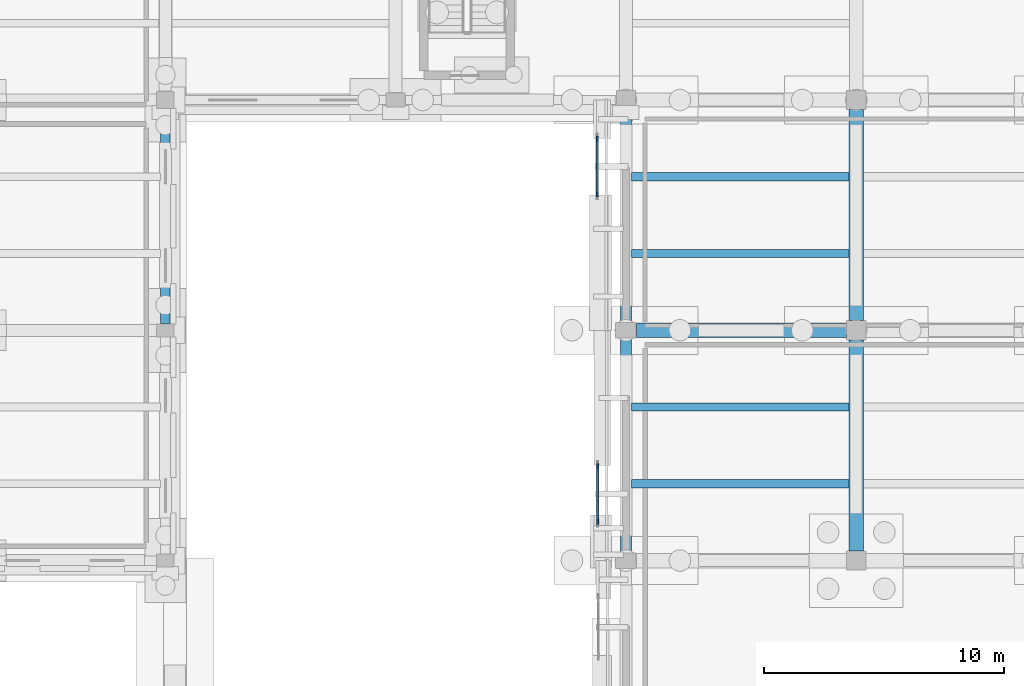
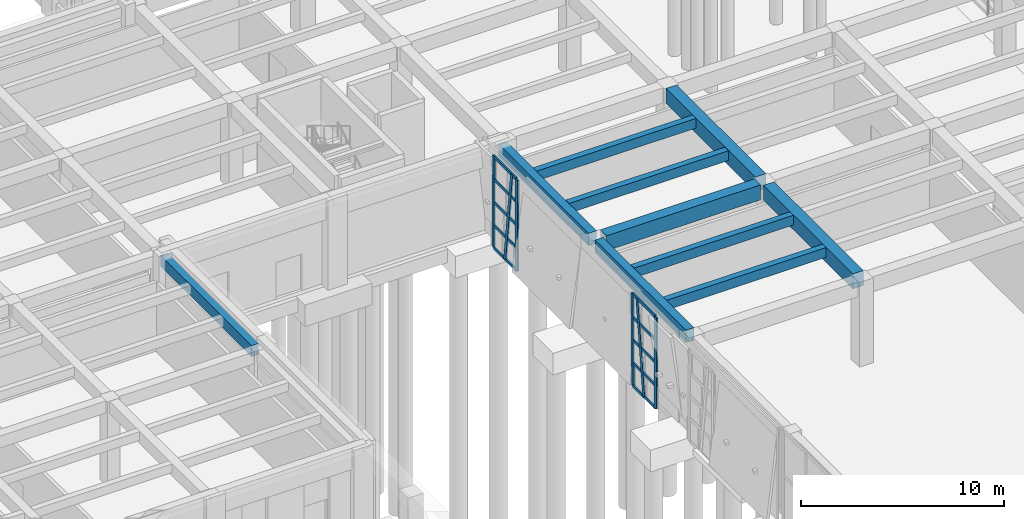
# One storey, part 15 of 51: 16 members, 10 beams, 2 elements without a shape of their own.
"""IFC4 building model written with IfcOpenShell, lengths in metres."""

from ifc_helpers import new_model, si_unit, direction, frame, origin, origin_2d, place, context, subcontext, project, spatial, rectangle, extrude, material, layer, layer_set, material_profile, profile_set, type_object, element, aggregate, save


model = new_model("IFC4")

# Units and contexts
model_context = context("Model", 3, precision=1e-05, world=origin(), true_north=direction((0.0, 1.0)))
body_context = subcontext(model_context, "Body", "Model", "MODEL_VIEW")
ifc_project = project(units=[si_unit("LENGTHUNIT", "METRE"), si_unit("AREAUNIT", "SQUARE_METRE"), si_unit("VOLUMEUNIT", "CUBIC_METRE"), si_unit("PLANEANGLEUNIT", "RADIAN"), si_unit("MASSUNIT", "GRAM", prefix="KILO")], contexts=[model_context])

# Site, building, storey
site_placement = place(None, origin())
site = spatial("IfcSite", under=ifc_project, at=site_placement, CompositionType="ELEMENT")
building_placement = place(site_placement, origin())
building = spatial("IfcBuilding", under=site, at=building_placement, Name="Bempovik Park Faculty of Sciences", CompositionType="ELEMENT")
storey_placement = place(building_placement, origin())
storey = spatial("IfcBuildingStorey", under=building, at=storey_placement, Name="L00", CompositionType="ELEMENT", Elevation=0.0)

# Beams
ifc_material_1 = material(Name="Concrete C35/45", Category="concrete")
ifc_material_profile_1 = material_profile(ifc_material_1, rectangle(XDim=0.39990234375, YDim=0.659912109375, at=origin_2d()), Name="RC 400x660")
ifc_profile_set_1 = profile_set([ifc_material_profile_1], Name="Concrete C35/45")
beam_type_1 = type_object("IfcBeamType", Name="B-097 RC 400x660", PredefinedType="SPANDREL", material=ifc_profile_set_1)
beam_1_placement = place(storey_placement, frame((40.800048828125, 58.47607421875, 4.75), z_axis=(0.0, 1.0, 0.0), x_axis=(-1.0, 0.0, 0.0)))
element("IfcBeam", 1, at=beam_1_placement, inside=storey, type_object=beam_type_1, Name="L00 Beam Y (x=40.8, 58.2-67.8)", PredefinedType="SPANDREL", context=body_context, shape_type="SweptSolid", body=[
    extrude(rectangle(XDim=0.39990234375, YDim=0.659912109375, at=origin_2d()), origin(), (0.0, 0.0, 1.0), 8.9580078125),
])
ifc_material_profile_2 = material_profile(ifc_material_1, rectangle(XDim=0.35009765625, YDim=0.580078125, at=origin_2d()), Name="RC 350x580")
ifc_profile_set_2 = profile_set([ifc_material_profile_2], Name="Concrete C35/45")
beam_type_2 = type_object("IfcBeamType", Name="B-107 RC 350x580", PredefinedType="JOIST", material=ifc_profile_set_2)
for number, where, z_axis, x_axis, name in (
    (2, (60.23095703125, 51.800048828125, 4.7900390625), (1.0, 0.0, 0.0), (0.0, 1.0, 0.0), "L00 Secondary Joist (60.0-69.6, y=51.80)"),
    (3, (60.23095703125, 55.0, 4.7900390625), (1.0, 0.0, 0.0), (0.0, 1.0, 0.0), "L00 Secondary Joist (60.0-69.6, y=55.00)"),
    (4, (60.23095703125, 61.39990234375, 4.7900390625), (1.0, 0.0, 0.0), (0.0, 1.0, 0.0), "L00 Secondary Joist (60.0-69.6, y=61.40)"),
    (5, (60.23095703125, 64.60009765625, 4.7900390625), (1.0, 0.0, 0.0), (0.0, 1.0, 0.0), "L00 Secondary Joist (60.0-69.6, y=64.60)"),
):
    element("IfcBeam", number, at=place(storey_placement, frame(where, z_axis=z_axis, x_axis=x_axis)), inside=storey, type_object=beam_type_2, Name=name, PredefinedType="JOIST", context=body_context, shape_type="SweptSolid", body=[
        extrude(rectangle(XDim=0.35009765625, YDim=0.580078125, at=origin_2d()), origin(), (0.0, 0.0, 1.0), 9.06298828125),
    ])
ifc_material_2 = material(Name="Concrete C40/50", Category="concrete")
ifc_material_profile_3 = material_profile(ifc_material_2, rectangle(XDim=0.60009765625, YDim=0.89990234375, at=origin_2d()), Name="RC 600x900")
ifc_profile_set_3 = profile_set([ifc_material_profile_3], Name="Concrete C40/50")
beam_type_3 = type_object("IfcBeamType", Name="B-115 RC 600x900", PredefinedType="BEAM", material=ifc_profile_set_3)
beam_2_placement = place(storey_placement, frame((60.430908203125, 58.199951171875, 4.6298828125), z_axis=(1.0, 0.0, 0.0), x_axis=(0.0, 1.0, 0.0)))
element("IfcBeam", 6, at=beam_2_placement, inside=storey, type_object=beam_type_3, Name="L00 Beam X (60.0-69.6, y=58.2)", PredefinedType="BEAM", context=body_context, shape_type="SweptSolid", body=[
    extrude(rectangle(XDim=0.60009765625, YDim=0.89990234375, at=origin_2d()), origin(), (0.0, 0.0, 1.0), 8.76318359375),
])
beam_3_placement = place(storey_placement, frame((69.60009765625, 49.006103515625, 4.6298828125), z_axis=(0.0, 1.0, 0.0), x_axis=(-1.0, 0.0, 0.0)))
element("IfcBeam", 7, at=beam_3_placement, inside=storey, type_object=beam_type_3, Name="L00 Beam Y (x=69.6, 48.6-58.2)", PredefinedType="BEAM", context=body_context, shape_type="SweptSolid", body=[
    extrude(rectangle(XDim=0.60009765625, YDim=0.89990234375, at=origin_2d()), origin(), (0.0, 0.0, 1.0), 8.787841796875),
])
beam_4_placement = place(storey_placement, frame((69.60009765625, 58.60595703125, 4.6298828125), z_axis=(0.0, 1.0, 0.0), x_axis=(-1.0, 0.0, 0.0)))
element("IfcBeam", 8, at=beam_4_placement, inside=storey, type_object=beam_type_3, Name="L00 Beam Y (x=69.6, 58.2-67.8)", PredefinedType="BEAM", context=body_context, shape_type="SweptSolid", body=[
    extrude(rectangle(XDim=0.60009765625, YDim=0.89990234375, at=origin_2d()), origin(), (0.0, 0.0, 1.0), 8.7880859375),
])
ifc_material_profile_4 = material_profile(ifc_material_2, rectangle(XDim=0.449951171875, YDim=0.75, at=origin_2d()), Name="RC 450x750")
ifc_profile_set_4 = profile_set([ifc_material_profile_4], Name="Concrete C40/50")
beam_type_4 = type_object("IfcBeamType", Name="B-130 RC 450x750", PredefinedType="SPANDREL", material=ifc_profile_set_4)
beam_5_placement = place(storey_placement, frame((60.0, 48.930908203125, 4.705078125), z_axis=(0.0, 1.0, 0.0), x_axis=(-1.0, 0.0, 0.0)))
element("IfcBeam", 9, at=beam_5_placement, inside=storey, type_object=beam_type_4, Name="L00 Beam Y (x=60.0, 48.6-58.2)", PredefinedType="SPANDREL", context=body_context, shape_type="SweptSolid", body=[
    extrude(rectangle(XDim=0.449951171875, YDim=0.75, at=origin_2d()), origin(), (0.0, 0.0, 1.0), 8.93798828125),
])
beam_6_placement = place(storey_placement, frame((60.0, 58.531005859375, 4.705078125), z_axis=(0.0, 1.0, 0.0), x_axis=(-1.0, 0.0, 0.0)))
element("IfcBeam", 10, at=beam_6_placement, inside=storey, type_object=beam_type_4, Name="L00 Beam Y (x=60.0, 58.2-67.8)", PredefinedType="SPANDREL", context=body_context, shape_type="SweptSolid", body=[
    extrude(rectangle(XDim=0.449951171875, YDim=0.75, at=origin_2d()), origin(), (0.0, 0.0, 1.0), 8.863037109375),
])

# Curtain wall, members
ifc_material_3 = material(Name="Tempered laminated low-E glass", Category="glass")
ifc_layer = layer(ifc_material_3, 0.159912109375)
ifc_layer_set = layer_set([ifc_layer], Name="Tempered laminated low-E glass")
curtain_wall_type = type_object("IfcCurtainWallType", Name="CW-59 Curtain 2400x4500", PredefinedType="USERDEFINED", material=ifc_layer_set)
curtain_wall_1_placement = place(storey_placement, origin())
curtain_wall_1 = element("IfcCurtainWall", 11, at=curtain_wall_1_placement, inside=storey, type_object=curtain_wall_type, Name="L00 Crystal Slantwise Light Fold (60.0,48.6)", ObjectType="UNITISED CURTAIN WALL", PredefinedType="USERDEFINED")
ifc_material_4 = material(Name="Anodised architectural bronze", Category="aluminium")
ifc_material_profile_5 = material_profile(ifc_material_4, rectangle(XDim=0.080078125, YDim=0.219970703125, at=origin_2d()), Name="ALU-M 80x220")
ifc_profile_set_5 = profile_set([ifc_material_profile_5], Name="Anodised architectural bronze")
member_type_1 = type_object("IfcMemberType", Name="ML-29 ALU-M 80x220", PredefinedType="MULLION", material=ifc_profile_set_5)
member_1_placement = place(storey_placement, frame((58.817626953125, 50.22509765625, -0.0400390625), z_axis=(0.0, 0.0, 1.0), x_axis=(1.0, 0.0, 0.0)))
member_1 = element("IfcMember", 12, at=member_1_placement, type_object=member_type_1, Name="CW-FOLD-L00-600-486 Mullion 0", PredefinedType="MULLION", context=body_context, shape_type="SweptSolid", body=[
    extrude(rectangle(XDim=0.080078125, YDim=0.219970703125, at=origin_2d()), origin(), (0.0, 0.0, 1.0), 5.47998046875),
])
member_2_placement = place(storey_placement, frame((58.817626953125, 51.375, -0.0400390625), z_axis=(0.0, 0.123131390904, 0.992390377107), x_axis=(-1.0, 0.0, 0.0)))
member_2 = element("IfcMember", 13, at=member_2_placement, type_object=member_type_1, Name="CW-FOLD-L00-600-486 Mullion 1", PredefinedType="MULLION", context=body_context, shape_type="SweptSolid", body=[
    extrude(rectangle(XDim=0.080078125, YDim=0.219970703125, at=origin_2d()), origin(), (0.0, 0.0, 1.0), 5.52197265625),
])
member_3_placement = place(storey_placement, frame((58.817626953125, 52.52490234375, -0.0400390625), z_axis=(0.0, 0.0, 1.0), x_axis=(1.0, 0.0, 0.0)))
member_3 = element("IfcMember", 14, at=member_3_placement, type_object=member_type_1, Name="CW-FOLD-L00-600-486 Mullion 2", PredefinedType="MULLION", context=body_context, shape_type="SweptSolid", body=[
    extrude(rectangle(XDim=0.080078125, YDim=0.219970703125, at=origin_2d()), origin(), (0.0, 0.0, 1.0), 5.47998046875),
])

curtain_wall_2_placement = place(storey_placement, origin())
curtain_wall_2 = element("IfcCurtainWall", 15, at=curtain_wall_2_placement, inside=storey, type_object=curtain_wall_type, Name="L00 Crystal Slantwise Light Fold (60.0,58.2)", ObjectType="UNITISED CURTAIN WALL", PredefinedType="USERDEFINED")
member_4_placement = place(storey_placement, frame((58.798583984375, 63.875, -0.0400390625), z_axis=(0.0, 0.0, 1.0), x_axis=(1.0, 0.0, 0.0)))
member_4 = element("IfcMember", 16, at=member_4_placement, type_object=member_type_1, Name="CW-FOLD-L00-600-582 Mullion 0", PredefinedType="MULLION", context=body_context, shape_type="SweptSolid", body=[
    extrude(rectangle(XDim=0.080078125, YDim=0.219970703125, at=origin_2d()), origin(), (0.0, 0.0, 1.0), 5.47998046875),
])
member_5_placement = place(storey_placement, frame((58.798583984375, 65.02490234375, -0.0400390625), z_axis=(0.0, -0.123131390904, 0.992390377107), x_axis=(1.0, 0.0, 0.0)))
member_5 = element("IfcMember", 17, at=member_5_placement, type_object=member_type_1, Name="CW-FOLD-L00-600-582 Mullion 1", PredefinedType="MULLION", context=body_context, shape_type="SweptSolid", body=[
    extrude(rectangle(XDim=0.080078125, YDim=0.219970703125, at=origin_2d()), origin(), (0.0, 0.0, 1.0), 5.52197265625),
])
member_6_placement = place(storey_placement, frame((58.798583984375, 66.175048828125, -0.0400390625), z_axis=(0.0, 0.0, 1.0), x_axis=(1.0, 0.0, 0.0)))
member_6 = element("IfcMember", 18, at=member_6_placement, type_object=member_type_1, Name="CW-FOLD-L00-600-582 Mullion 2", PredefinedType="MULLION", context=body_context, shape_type="SweptSolid", body=[
    extrude(rectangle(XDim=0.080078125, YDim=0.219970703125, at=origin_2d()), origin(), (0.0, 0.0, 1.0), 5.47998046875),
])

# Member
ifc_material_profile_6 = material_profile(ifc_material_4, rectangle(XDim=0.080078125, YDim=0.179931640625, at=origin_2d()), Name="ALU-T 80x180")
ifc_profile_set_6 = profile_set([ifc_material_profile_6], Name="Anodised architectural bronze")
member_type_2 = type_object("IfcMemberType", Name="TR-29 ALU-T 80x180", PredefinedType="USERDEFINED", material=ifc_profile_set_6)
member_7_placement = place(storey_placement, frame((58.817626953125, 50.264892578125, -0.0400390625), z_axis=(0.0, 1.0, 0.0), x_axis=(-1.0, 0.0, 0.0)))
member_7 = element("IfcMember", 19, at=member_7_placement, type_object=member_type_2, Name="CW-FOLD-L00-600-486 Transom 0", ObjectType="TRANSOM", PredefinedType="USERDEFINED", context=body_context, shape_type="SweptSolid", body=[
    extrude(rectangle(XDim=0.080078125, YDim=0.179931640625, at=origin_2d()), origin(), (0.0, 0.0, 1.0), 2.22021484375),
])

member_8_placement = place(storey_placement, frame((58.817626953125, 50.264892578125, 1.330078125), z_axis=(0.0, 1.0, 0.0), x_axis=(-1.0, 0.0, 0.0)))
member_8 = element("IfcMember", 20, at=member_8_placement, type_object=member_type_2, Name="CW-FOLD-L00-600-486 Transom 1", ObjectType="TRANSOM", PredefinedType="USERDEFINED", context=body_context, shape_type="SweptSolid", body=[
    extrude(rectangle(XDim=0.080078125, YDim=0.179931640625, at=origin_2d()), origin(), (0.0, 0.0, 1.0), 2.22021484375),
])

member_9_placement = place(storey_placement, frame((58.817626953125, 50.264892578125, 2.699951171875), z_axis=(0.0, 1.0, 0.0), x_axis=(-1.0, 0.0, 0.0)))
member_9 = element("IfcMember", 21, at=member_9_placement, type_object=member_type_2, Name="CW-FOLD-L00-600-486 Transom 2", ObjectType="TRANSOM", PredefinedType="USERDEFINED", context=body_context, shape_type="SweptSolid", body=[
    extrude(rectangle(XDim=0.080078125, YDim=0.179931640625, at=origin_2d()), origin(), (0.0, 0.0, 1.0), 2.22021484375),
])

member_10_placement = place(storey_placement, frame((58.817626953125, 50.264892578125, 4.070068359375), z_axis=(0.0, 1.0, 0.0), x_axis=(-1.0, 0.0, 0.0)))
member_10 = element("IfcMember", 22, at=member_10_placement, type_object=member_type_2, Name="CW-FOLD-L00-600-486 Transom 3", ObjectType="TRANSOM", PredefinedType="USERDEFINED", context=body_context, shape_type="SweptSolid", body=[
    extrude(rectangle(XDim=0.080078125, YDim=0.179931640625, at=origin_2d()), origin(), (0.0, 0.0, 1.0), 2.22021484375),
])

member_11_placement = place(storey_placement, frame((58.817626953125, 50.264892578125, 5.43994140625), z_axis=(0.0, 1.0, 0.0), x_axis=(-1.0, 0.0, 0.0)))
member_11 = element("IfcMember", 23, at=member_11_placement, type_object=member_type_2, Name="CW-FOLD-L00-600-486 Transom 4", ObjectType="TRANSOM", PredefinedType="USERDEFINED", context=body_context, shape_type="SweptSolid", body=[
    extrude(rectangle(XDim=0.080078125, YDim=0.179931640625, at=origin_2d()), origin(), (0.0, 0.0, 1.0), 2.22021484375),
])

aggregate(curtain_wall_1, [member_1, member_2, member_3, member_7, member_8, member_9, member_10, member_11])

member_12_placement = place(storey_placement, frame((58.798583984375, 63.9150390625, -0.0400390625), z_axis=(0.0, 1.0, 0.0), x_axis=(-1.0, 0.0, 0.0)))
member_12 = element("IfcMember", 24, at=member_12_placement, type_object=member_type_2, Name="CW-FOLD-L00-600-582 Transom 0", ObjectType="TRANSOM", PredefinedType="USERDEFINED", context=body_context, shape_type="SweptSolid", body=[
    extrude(rectangle(XDim=0.080078125, YDim=0.179931640625, at=origin_2d()), origin(), (0.0, 0.0, 1.0), 2.219970703125),
])

member_13_placement = place(storey_placement, frame((58.798583984375, 63.9150390625, 1.330078125), z_axis=(0.0, 1.0, 0.0), x_axis=(-1.0, 0.0, 0.0)))
member_13 = element("IfcMember", 25, at=member_13_placement, type_object=member_type_2, Name="CW-FOLD-L00-600-582 Transom 1", ObjectType="TRANSOM", PredefinedType="USERDEFINED", context=body_context, shape_type="SweptSolid", body=[
    extrude(rectangle(XDim=0.080078125, YDim=0.179931640625, at=origin_2d()), origin(), (0.0, 0.0, 1.0), 2.219970703125),
])

member_14_placement = place(storey_placement, frame((58.798583984375, 63.9150390625, 2.699951171875), z_axis=(0.0, 1.0, 0.0), x_axis=(-1.0, 0.0, 0.0)))
member_14 = element("IfcMember", 26, at=member_14_placement, type_object=member_type_2, Name="CW-FOLD-L00-600-582 Transom 2", ObjectType="TRANSOM", PredefinedType="USERDEFINED", context=body_context, shape_type="SweptSolid", body=[
    extrude(rectangle(XDim=0.080078125, YDim=0.179931640625, at=origin_2d()), origin(), (0.0, 0.0, 1.0), 2.219970703125),
])

member_15_placement = place(storey_placement, frame((58.798583984375, 63.9150390625, 4.070068359375), z_axis=(0.0, 1.0, 0.0), x_axis=(-1.0, 0.0, 0.0)))
member_15 = element("IfcMember", 27, at=member_15_placement, type_object=member_type_2, Name="CW-FOLD-L00-600-582 Transom 3", ObjectType="TRANSOM", PredefinedType="USERDEFINED", context=body_context, shape_type="SweptSolid", body=[
    extrude(rectangle(XDim=0.080078125, YDim=0.179931640625, at=origin_2d()), origin(), (0.0, 0.0, 1.0), 2.219970703125),
])

member_16_placement = place(storey_placement, frame((58.798583984375, 63.9150390625, 5.43994140625), z_axis=(0.0, 1.0, 0.0), x_axis=(-1.0, 0.0, 0.0)))
member_16 = element("IfcMember", 28, at=member_16_placement, type_object=member_type_2, Name="CW-FOLD-L00-600-582 Transom 4", ObjectType="TRANSOM", PredefinedType="USERDEFINED", context=body_context, shape_type="SweptSolid", body=[
    extrude(rectangle(XDim=0.080078125, YDim=0.179931640625, at=origin_2d()), origin(), (0.0, 0.0, 1.0), 2.219970703125),
])

aggregate(curtain_wall_2, [member_4, member_5, member_6, member_12, member_13, member_14, member_15, member_16])

save(model, "model.ifc")
